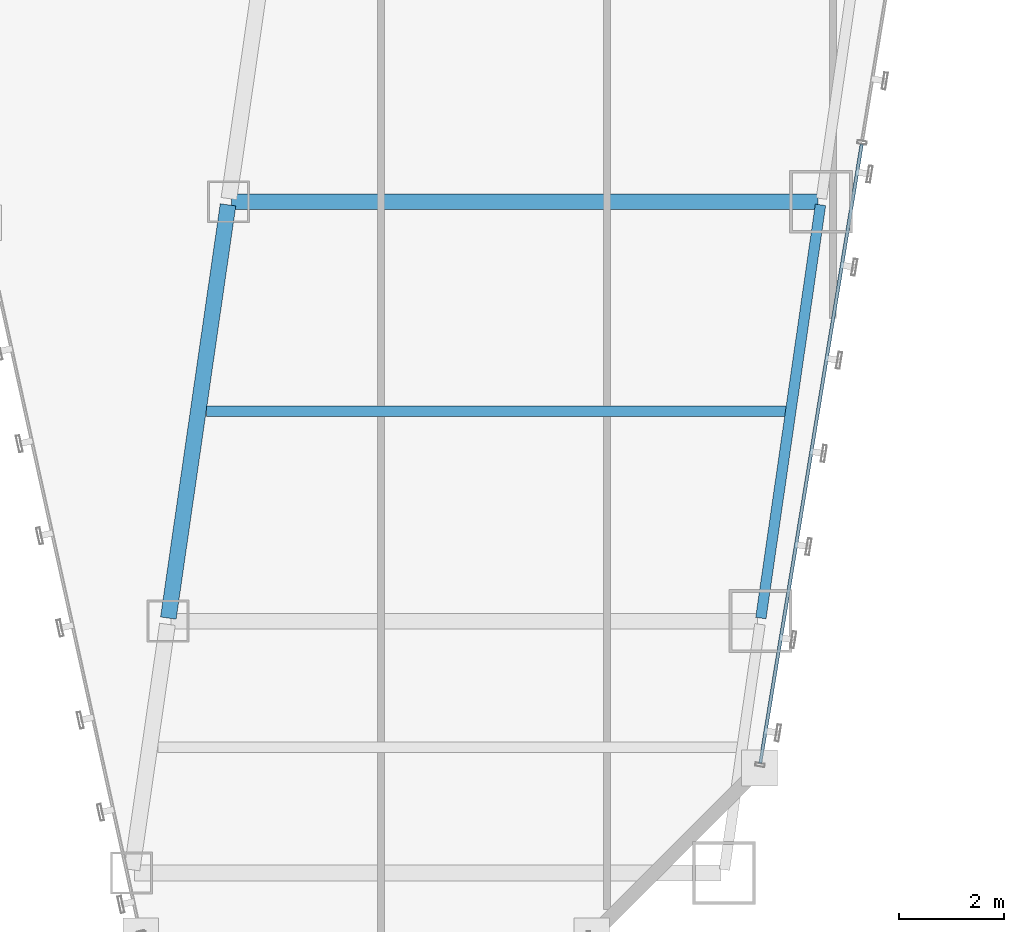
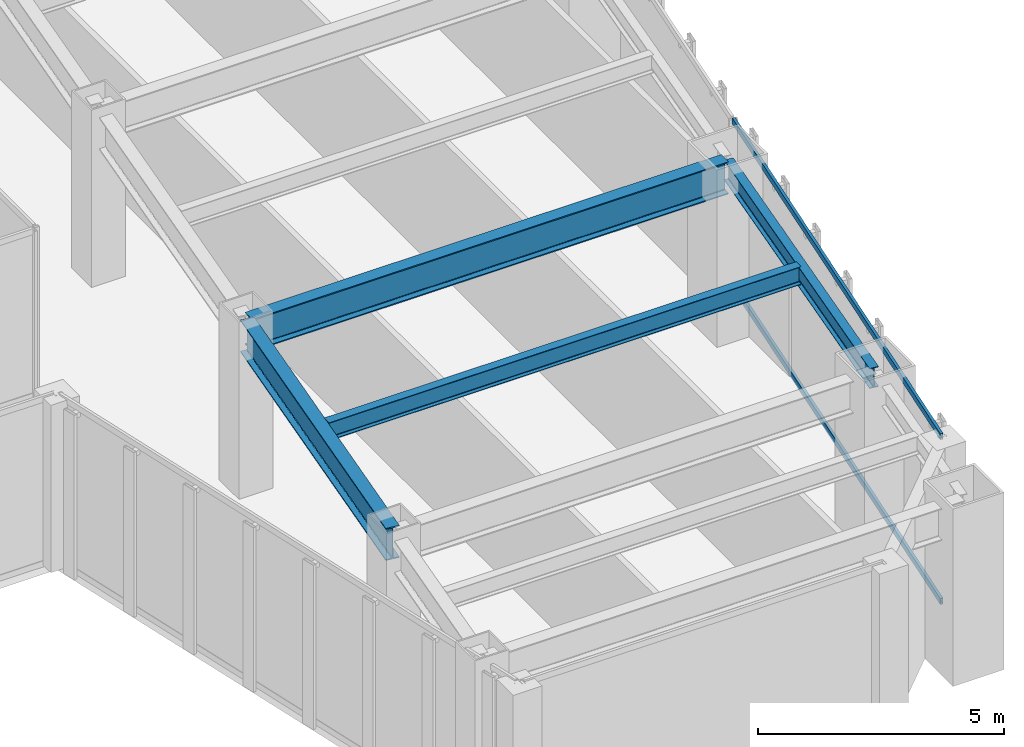
# One storey, part 16 of 47: 4 beams, 2 members, 1 element without a shape of its own.
"""IFC4 building model written with IfcOpenShell, lengths in metres."""

from ifc_helpers import new_model, si_unit, direction, frame, origin, origin_2d, place, context, subcontext, project, spatial, hollow_rectangle, i_section, extrude, material, material_profile, profile_set, type_object, element, aggregate, save


model = new_model("IFC4")

# Units and contexts
model_context = context("Model", 3, precision=1e-05, world=origin(), true_north=direction((0.0, 1.0)))
body_context = subcontext(model_context, "Body", "Model", "MODEL_VIEW")
ifc_project = project(units=[si_unit("LENGTHUNIT", "METRE"), si_unit("AREAUNIT", "SQUARE_METRE"), si_unit("VOLUMEUNIT", "CUBIC_METRE"), si_unit("PLANEANGLEUNIT", "RADIAN"), si_unit("MASSUNIT", "GRAM", prefix="KILO")], contexts=[model_context])

# Site, building, storey
site_placement = place(None, origin())
site = spatial("IfcSite", under=ifc_project, at=site_placement, CompositionType="ELEMENT")
building_placement = place(site_placement, origin())
building = spatial("IfcBuilding", under=site, at=building_placement, Name="Saevonmaru Cultural Tower", CompositionType="ELEMENT")
storey_placement = place(building_placement, frame((0.0, 0.0, 56.0)))
storey = spatial("IfcBuildingStorey", under=building, at=storey_placement, Name="L11", CompositionType="ELEMENT", Elevation=56.0)

# Beams
ifc_material_1 = material(Name="Steel SM420", Category="steel")
ifc_material_profile_1 = material_profile(ifc_material_1, i_section(OverallWidth=0.300048828125, OverallDepth=0.800048828125, WebThickness=0.013916015625, FlangeThickness=0.02587890625, FilletRadius=0.028076171875, at=origin_2d()), Name="H-800x300x14x26")
ifc_profile_set_1 = profile_set([ifc_material_profile_1], Name="Steel SM420")
beam_type_1 = type_object("IfcBeamType", Name="BM-G-H800", PredefinedType="BEAM", material=ifc_profile_set_1)
beam_1_placement = place(storey_placement, frame((36.925537109375, 8.059326171875, 3.75), z_axis=(0.142902032203, 0.989736838353, 0.0), x_axis=(-0.989736838353, 0.142902032203, 0.0)))
element("IfcBeam", 1, at=beam_1_placement, inside=storey, type_object=beam_type_1, Name="L11 East Atrium Girder 2", PredefinedType="BEAM", context=body_context, shape_type="SweptSolid", body=[
    extrude(i_section(OverallWidth=0.300048828125, OverallDepth=0.800048828125, WebThickness=0.013916015625, FlangeThickness=0.02587890625, FilletRadius=0.028076171875, at=origin_2d()), origin(), (0.0, 0.0, 1.0), 7.963134765625),
])
beam_2_placement = place(storey_placement, frame((38.132080078125, 16.0, 3.75), z_axis=(1.0, 0.0, 0.0), x_axis=(0.0, 1.0, 0.0)))
element("IfcBeam", 2, at=beam_2_placement, inside=storey, type_object=beam_type_1, Name="L11 East Wing Transverse Girder 3", PredefinedType="BEAM", context=body_context, shape_type="SweptSolid", body=[
    extrude(i_section(OverallWidth=0.300048828125, OverallDepth=0.800048828125, WebThickness=0.013916015625, FlangeThickness=0.02587890625, FilletRadius=0.028076171875, at=origin_2d()), origin(), (0.0, 0.0, 1.0), 11.179931640625),
])
ifc_material_2 = material(Name="Steel SM355", Category="steel")
ifc_material_profile_2 = material_profile(ifc_material_2, i_section(OverallWidth=0.199951171875, OverallDepth=0.449951171875, WebThickness=0.009033203125, FlangeThickness=0.013916015625, FilletRadius=0.01806640625, at=origin_2d()), Name="H-450x200x9x14")
ifc_profile_set_2 = profile_set([ifc_material_profile_2], Name="Steel SM355")
beam_type_2 = type_object("IfcBeamType", Name="BM-J-H450", PredefinedType="JOIST", material=ifc_profile_set_2)
beam_3_placement = place(storey_placement, frame((37.652587890625, 12.0, 3.925048828125), z_axis=(1.0, 0.0, 0.0), x_axis=(0.0, 1.0, 0.0)))
element("IfcBeam", 3, at=beam_3_placement, inside=storey, type_object=beam_type_2, Name="L11 East Wing Floor Joist 2", PredefinedType="JOIST", context=body_context, shape_type="SweptSolid", body=[
    extrude(i_section(OverallWidth=0.199951171875, OverallDepth=0.449951171875, WebThickness=0.009033203125, FlangeThickness=0.013916015625, FilletRadius=0.01806640625, at=origin_2d()), origin(), (0.0, 0.0, 1.0), 11.08203125),
])
ifc_material_profile_3 = material_profile(ifc_material_2, i_section(OverallWidth=0.199951171875, OverallDepth=0.5, WebThickness=0.010009765625, FlangeThickness=0.01611328125, FilletRadius=0.02001953125, at=origin_2d()), Name="H-500x200x10x16")
ifc_profile_set_3 = profile_set([ifc_material_profile_3], Name="Steel SM355")
beam_type_3 = type_object("IfcBeamType", Name="BM-SP-H500", PredefinedType="SPANDREL", material=ifc_profile_set_3)
beam_4_placement = place(storey_placement, frame((48.2255859375, 8.059326171875, 3.89990234375), z_axis=(0.142871999001, 0.989741174197, 0.0), x_axis=(-0.989741174197, 0.142871999001, 0.0)))
element("IfcBeam", 4, at=beam_4_placement, inside=storey, type_object=beam_type_3, Name="L11 East Splayed Spandrel 2", PredefinedType="SPANDREL", context=body_context, shape_type="SweptSolid", body=[
    extrude(i_section(OverallWidth=0.199951171875, OverallDepth=0.5, WebThickness=0.010009765625, FlangeThickness=0.01611328125, FilletRadius=0.02001953125, at=origin_2d()), origin(), (0.0, 0.0, 1.0), 7.963134765625),
])

# Curtain wall, members
ifc_material_3 = material(Name="Satin Bronze Anodised Aluminium", Category="aluminium")
curtain_wall_type = type_object("IfcCurtainWallType", Name="CW-TYP-A", PredefinedType="NOTDEFINED", material=ifc_material_3)
curtain_wall_placement = place(storey_placement, origin())
curtain_wall = element("IfcCurtainWall", 5, at=curtain_wall_placement, inside=storey, type_object=curtain_wall_type, Name="L11 Unitised Curtain Wall E8", PredefinedType="NOTDEFINED")
ifc_material_profile_4 = material_profile(ifc_material_3, hollow_rectangle(XDim=0.06494140625, YDim=0.14990234375, WallThickness=0.00390625, at=origin_2d()), Name="ALU-TRAN-150x65x4")
ifc_profile_set_4 = profile_set([ifc_material_profile_4], Name="Satin Bronze Anodised Aluminium")
member_type = type_object("IfcMemberType", Name="TR-CW-150x65", PredefinedType="USERDEFINED", material=ifc_profile_set_4)
member_1_placement = place(storey_placement, frame((48.21484375, 5.291259765625, 0.032470703125), z_axis=(0.161724530373, 0.986835941925, 0.0), x_axis=(-0.986835941925, 0.161724530373, 0.0)))
member_1 = element("IfcMember", 6, at=member_1_placement, type_object=member_type, Name="CW-TW-L11-E8 transom 1.1", ObjectType="TRANSOM", PredefinedType="USERDEFINED", context=body_context, shape_type="SweptSolid", body=[
    extrude(hollow_rectangle(XDim=0.06494140625, YDim=0.14990234375, WallThickness=0.00390625, at=origin_2d()), origin(), (0.0, 0.0, 1.0), 11.963623046875),
])
member_2_placement = place(storey_placement, frame((48.21484375, 5.291259765625, 4.117431640625), z_axis=(0.161724530373, 0.986835941925, 0.0), x_axis=(-0.986835941925, 0.161724530373, 0.0)))
member_2 = element("IfcMember", 7, at=member_2_placement, type_object=member_type, Name="CW-TW-L11-E8 transom 1.2", ObjectType="TRANSOM", PredefinedType="USERDEFINED", context=body_context, shape_type="SweptSolid", body=[
    extrude(hollow_rectangle(XDim=0.06494140625, YDim=0.14990234375, WallThickness=0.00390625, at=origin_2d()), origin(), (0.0, 0.0, 1.0), 11.963623046875),
])
aggregate(curtain_wall, [member_1, member_2])

save(model, "model.ifc")
